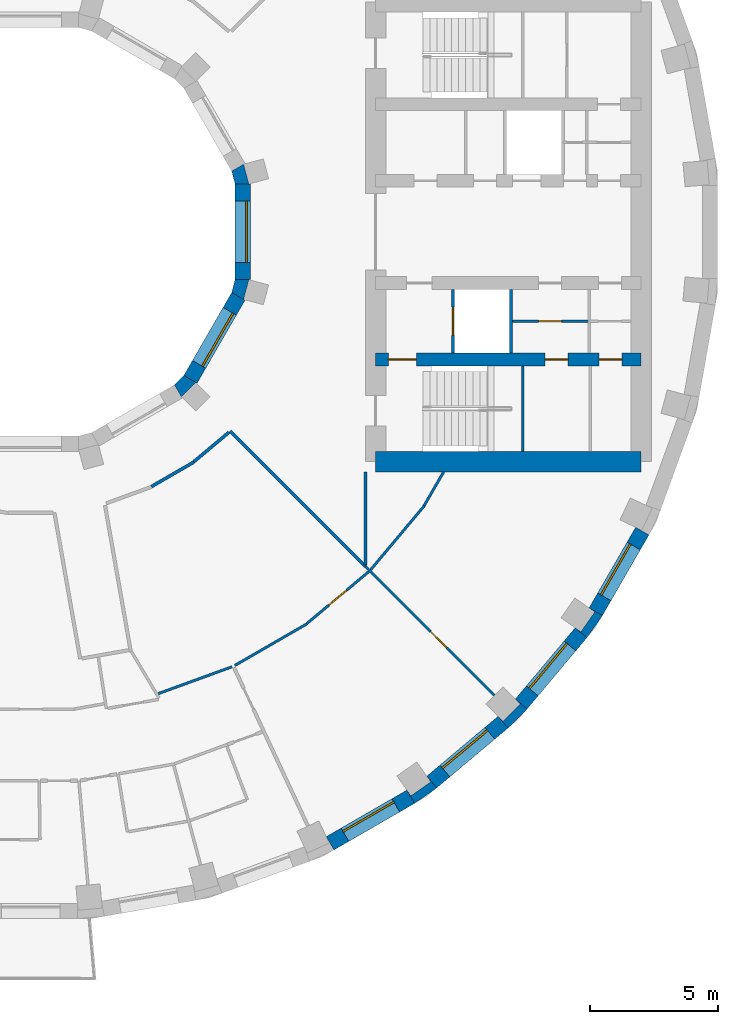
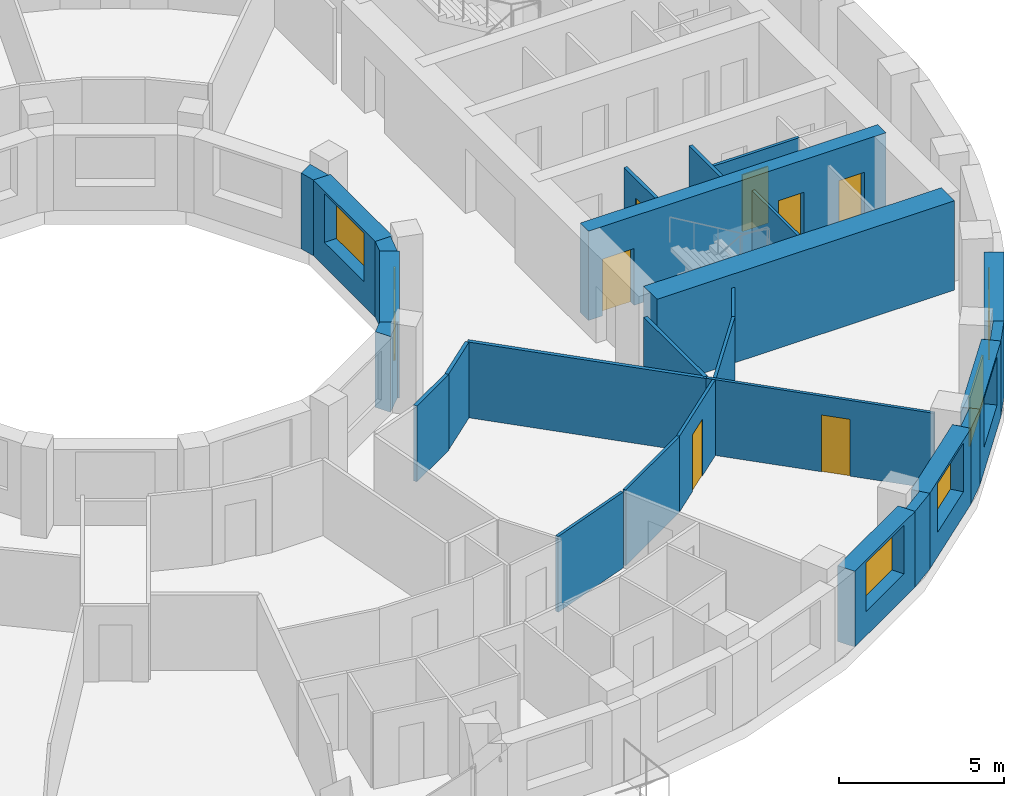
# One storey, part 7 of 14: 28 walls, 7 doors, 6 windows, 13 openings.
"""IFC4 building model written with IfcOpenShell, lengths in metres."""

from ifc_helpers import new_model, si_unit, direction, frame, frame_2d, origin, place, context, subcontext, project, spatial, polyline, rectangle, outline, extrude, material, layer, layer_set, type_object, element, fill, save


model = new_model("IFC4")

# Units and contexts
model_context = context("Model", 3, precision=1e-05, world=origin(), true_north=direction((0.0, 1.0)))
body_context = subcontext(model_context, "Body", "Model", "MODEL_VIEW")
ifc_project = project(units=[si_unit("LENGTHUNIT", "METRE"), si_unit("AREAUNIT", "SQUARE_METRE"), si_unit("VOLUMEUNIT", "CUBIC_METRE"), si_unit("PLANEANGLEUNIT", "RADIAN"), si_unit("MASSUNIT", "GRAM", prefix="KILO")], contexts=[model_context])

# Site, building, storey
site_placement = place(None, origin())
site = spatial("IfcSite", under=ifc_project, at=site_placement, CompositionType="ELEMENT")
building_placement = place(site_placement, origin())
building = spatial("IfcBuilding", under=site, at=building_placement, Name="Saqina Gate Tower", CompositionType="ELEMENT")
storey_placement = place(building_placement, frame((0.0, 0.0, 134.800048828125)))
storey = spatial("IfcBuildingStorey", under=building, at=storey_placement, Name="L38", CompositionType="ELEMENT", Elevation=134.800048828125)

# Walls
ifc_material_1 = material(Name="Brick masonry (buff)", Category="masonry")
wall_type_1 = type_object("IfcWallType", Name="BRICK PIER COPING BUFF", PredefinedType="SOLIDWALL", material=ifc_material_1)
wall_1_placement = place(storey_placement, origin())
element("IfcWall", 1, at=wall_1_placement, inside=storey, type_object=wall_type_1, Name="Pier cap L38 column 31", PredefinedType="SOLIDWALL", context=body_context, shape_type="SweptSolid", body=[
    extrude(outline(polyline([(15.89208984375, -21.77685546875), (15.50634765625, -21.317138671875), (15.66064453125, -21.53759765625), (14.88232421875, -22.08251953125), (14.728271484375, -21.862060546875), (15.0283203125, -22.3818359375), (15.89208984375, -21.77685546875)])), origin(), (0.0, 0.0, 1.0), 2.800048828125),
])
wall_2_placement = place(storey_placement, origin())
element("IfcWall", 2, at=wall_2_placement, inside=storey, type_object=wall_type_1, Name="Pier cap L38 column 32", PredefinedType="SOLIDWALL", context=body_context, shape_type="SweptSolid", body=[
    extrude(outline(polyline([(18.686279296875, -19.43212890625), (19.43212890625, -18.686279296875), (18.972412109375, -18.30078125), (19.16259765625, -18.49072265625), (18.49072265625, -19.16259765625), (18.30078125, -18.972412109375), (18.686279296875, -19.43212890625)])), origin(), (0.0, 0.0, 1.0), 2.800048828125),
])
wall_3_placement = place(storey_placement, origin())
element("IfcWall", 3, at=wall_3_placement, inside=storey, type_object=wall_type_1, Name="Pier cap L38 column 33", PredefinedType="SOLIDWALL", context=body_context, shape_type="SweptSolid", body=[
    extrude(outline(polyline([(22.3818359375, -15.0283203125), (21.862060546875, -14.728271484375), (22.08251953125, -14.88232421875), (21.53759765625, -15.66064453125), (21.317138671875, -15.50634765625), (21.77685546875, -15.89208984375), (22.3818359375, -15.0283203125)])), origin(), (0.0, 0.0, 1.0), 2.800048828125),
])

# Wall, opening, door
ifc_material_2 = material(Name="Gypsum board on steel studs", Category="steel")
ifc_layer_1 = layer(ifc_material_2, 0.10009765625)
ifc_layer_set_1 = layer_set([ifc_layer_1], Name="CORE PARTITION")
wall_type_2 = type_object("IfcWallType", Name="CORE PARTITION", PredefinedType="PARTITIONING", material=ifc_layer_set_1)
wall_4_placement = place(storey_placement, frame((18.81005859375, -3.5, 0.0), z_axis=(0.0, 0.0, 1.0), x_axis=(1.0, 0.0, 0.0)))
wall_4 = element("IfcWall", 4, at=wall_4_placement, inside=storey, type_object=wall_type_2, Name="L38-CP-E10", PredefinedType="PARTITIONING", context=body_context, shape_type="SweptSolid", body=[
    extrude(rectangle(XDim=3.04833984375, YDim=0.10009765625, at=frame_2d((1.524169921875, 0.0))), origin(), (0.0, 0.0, 1.0), 2.800048828125),
])
opening_1_placement = place(wall_4_placement, frame((1.07421875, 0.0, 0.0)))
opening_1 = element("IfcOpeningElement", 5, at=opening_1_placement, cuts=wall_4, Name="Opening G11-D102", PredefinedType="OPENING", context=body_context, shape_type="SweptSolid", body=[
    extrude(rectangle(XDim=0.89990234375, YDim=2.10009765625, at=frame_2d((0.449951171875, 1.050048828125))), frame((0.0, 0.06201171875, 0.0), z_axis=(0.0, -1.0, 0.0), x_axis=(1.0, 0.0, 0.0)), (0.0, 0.0, 1.0), 0.1240234375),
])
ifc_material_3 = material(Name="Steel-framed fire door leaf, EI 60", Category="steel")
door_type_1 = type_object("IfcDoorType", Name="SERVICE ROOM DOOR 900", OperationType="SINGLE_SWING_LEFT", PredefinedType="DOOR", material=ifc_material_3)
door_1_placement = place(opening_1_placement, frame((0.89990234375, 0.0, 0.0), z_axis=(0.0, 0.0, 1.0), x_axis=(-1.0, 0.0, 0.0)))
door_1 = element("IfcDoor", 6, at=door_1_placement, inside=storey, type_object=door_type_1, Name="L38-CD-E13", OperationType="SINGLE_SWING_RIGHT", OverallHeight=2.10009765625, OverallWidth=0.89990234375, PredefinedType="DOOR", context=body_context, shape_type="SweptSolid", body=[
    extrude(rectangle(XDim=0.89990234375, YDim=2.10009765625, at=frame_2d((0.449951171875, 1.050048828125))), frame((0.0, 0.02490234375, 0.0), z_axis=(0.0, -1.0, 0.0), x_axis=(1.0, 0.0, 0.0)), (0.0, 0.0, 1.0), 0.050048828125),
])
fill(opening_1, door_1)

# Wall, opening, window
ifc_material_4 = material(Name="Brick masonry (buff)", Category="masonry")
ifc_layer_2 = layer(ifc_material_4, 0.60009765625)
ifc_layer_set_2 = layer_set([ifc_layer_2], Name="FW-BRICK-BUFF")
wall_type_3 = type_object("IfcWallType", Name="FW-BRICK-BUFF", PredefinedType="SOLIDWALL", material=ifc_layer_set_2)
wall_5_placement = place(storey_placement, frame((11.718994140625, -23.94580078125, 0.0), z_axis=(0.0, 0.0, 1.0), x_axis=(0.866051847062, 0.499954196102, 0.0)))
wall_5 = element("IfcWall", 7, at=wall_5_placement, inside=storey, type_object=wall_type_3, Name="Facade wall L38 facet 30", PredefinedType="SOLIDWALL", context=body_context, shape_type="SweptSolid", body=[
    extrude(rectangle(XDim=3.647705078125, YDim=0.60009765625, at=frame_2d((1.82373046875, 0.0))), origin(), (0.0, 0.0, 1.0), 2.800048828125),
])
opening_2_placement = place(wall_5_placement, frame((0.673828125, 0.0, 0.89990234375)))
opening_2 = element("IfcOpeningElement", 8, at=opening_2_placement, cuts=wall_5, Name="Opening G11-W19", PredefinedType="OPENING", context=body_context, shape_type="SweptSolid", body=[
    extrude(rectangle(XDim=2.300048828125, YDim=1.800048828125, at=frame_2d((1.14990234375, 0.89990234375))), frame((0.0, 0.31201171875, 0.0), z_axis=(0.0, -1.0, 0.0), x_axis=(1.0, 0.0, 0.0)), (0.0, 0.0, 1.0), 0.6240234375),
])
ifc_material_5 = material(Name="Aluminium glazing", Category="aluminium")
window_type_1 = type_object("IfcWindowType", Name="WN-B", PartitioningType="SINGLE_PANEL", PredefinedType="WINDOW", material=ifc_material_5)
window_1_placement = place(opening_2_placement, origin())
window_1 = element("IfcWindow", 9, at=window_1_placement, inside=storey, type_object=window_type_1, Name="Window L38 facet 30", OverallHeight=1.800048828125, OverallWidth=2.300048828125, PartitioningType="SINGLE_PANEL", PredefinedType="WINDOW", context=body_context, shape_type="SweptSolid", body=[
    extrude(rectangle(XDim=2.300048828125, YDim=1.800048828125, at=frame_2d((1.14990234375, 0.89990234375))), frame((0.0, 0.179931640625, 0.0), z_axis=(0.0, -1.0, 0.0), x_axis=(1.0, 0.0, 0.0)), (0.0, 0.0, 1.0), 0.06005859375),
])
fill(opening_2, window_1)

wall_6_placement = place(storey_placement, frame((15.69921875, -21.547119140625, 0.0), z_axis=(0.0, 0.0, 1.0), x_axis=(0.766055462616, 0.642774476932, 0.0)))
wall_6 = element("IfcWall", 10, at=wall_6_placement, inside=storey, type_object=wall_type_3, Name="Facade wall L38 facet 31", PredefinedType="SOLIDWALL", context=body_context, shape_type="SweptSolid", body=[
    extrude(rectangle(XDim=3.647705078125, YDim=0.60009765625, at=frame_2d((1.82373046875, 0.0))), origin(), (0.0, 0.0, 1.0), 2.800048828125),
])
opening_3_placement = place(wall_6_placement, frame((0.673828125, 0.0, 0.89990234375)))
opening_3 = element("IfcOpeningElement", 11, at=opening_3_placement, cuts=wall_6, Name="Opening G11-W20", PredefinedType="OPENING", context=body_context, shape_type="SweptSolid", body=[
    extrude(rectangle(XDim=2.300048828125, YDim=1.800048828125, at=frame_2d((1.14990234375, 0.89990234375))), frame((0.0, 0.31201171875, 0.0), z_axis=(0.0, -1.0, 0.0), x_axis=(1.0, 0.0, 0.0)), (0.0, 0.0, 1.0), 0.6240234375),
])
window_2_placement = place(opening_3_placement, origin())
window_2 = element("IfcWindow", 12, at=window_2_placement, inside=storey, type_object=window_type_1, Name="Window L38 facet 31", OverallHeight=1.800048828125, OverallWidth=2.300048828125, PartitioningType="SINGLE_PANEL", PredefinedType="WINDOW", context=body_context, shape_type="SweptSolid", body=[
    extrude(rectangle(XDim=2.300048828125, YDim=1.800048828125, at=frame_2d((1.14990234375, 0.89990234375))), frame((0.0, 0.179931640625, 0.0), z_axis=(0.0, -1.0, 0.0), x_axis=(1.0, 0.0, 0.0)), (0.0, 0.0, 1.0), 0.06005859375),
])
fill(opening_3, window_2)

wall_7_placement = place(storey_placement, frame((19.202392578125, -18.49365234375, 0.0), z_axis=(0.0, 0.0, 1.0), x_axis=(0.642774476932, 0.766055462616, 0.0)))
wall_7 = element("IfcWall", 13, at=wall_7_placement, inside=storey, type_object=wall_type_3, Name="Facade wall L38 facet 32", PredefinedType="SOLIDWALL", context=body_context, shape_type="SweptSolid", body=[
    extrude(rectangle(XDim=3.647705078125, YDim=0.60009765625, at=frame_2d((1.82373046875, 0.0))), origin(), (0.0, 0.0, 1.0), 2.800048828125),
])
opening_4_placement = place(wall_7_placement, frame((0.673828125, 0.0, 0.89990234375)))
opening_4 = element("IfcOpeningElement", 14, at=opening_4_placement, cuts=wall_7, Name="Opening G11-W21", PredefinedType="OPENING", context=body_context, shape_type="SweptSolid", body=[
    extrude(rectangle(XDim=2.300048828125, YDim=1.800048828125, at=frame_2d((1.14990234375, 0.89990234375))), frame((0.0, 0.31201171875, 0.0), z_axis=(0.0, -1.0, 0.0), x_axis=(1.0, 0.0, 0.0)), (0.0, 0.0, 1.0), 0.6240234375),
])
window_3_placement = place(opening_4_placement, origin())
window_3 = element("IfcWindow", 15, at=window_3_placement, inside=storey, type_object=window_type_1, Name="Window L38 facet 32", OverallHeight=1.800048828125, OverallWidth=2.300048828125, PartitioningType="SINGLE_PANEL", PredefinedType="WINDOW", context=body_context, shape_type="SweptSolid", body=[
    extrude(rectangle(XDim=2.300048828125, YDim=1.800048828125, at=frame_2d((1.14990234375, 0.89990234375))), frame((0.0, 0.179931640625, 0.0), z_axis=(0.0, -1.0, 0.0), x_axis=(1.0, 0.0, 0.0)), (0.0, 0.0, 1.0), 0.06005859375),
])
fill(opening_4, window_3)

wall_8_placement = place(storey_placement, frame((22.1220703125, -14.878173828125, 0.0), z_axis=(0.0, 0.0, 1.0), x_axis=(0.499954196102, 0.866051847062, 0.0)))
wall_8 = element("IfcWall", 16, at=wall_8_placement, inside=storey, type_object=wall_type_3, Name="Facade wall L38 facet 33", PredefinedType="SOLIDWALL", context=body_context, shape_type="SweptSolid", body=[
    extrude(rectangle(XDim=3.647705078125, YDim=0.60009765625, at=frame_2d((1.82373046875, 0.0))), origin(), (0.0, 0.0, 1.0), 2.800048828125),
])
opening_5_placement = place(wall_8_placement, frame((0.673828125, 0.0, 0.89990234375)))
opening_5 = element("IfcOpeningElement", 17, at=opening_5_placement, cuts=wall_8, Name="Opening G11-W22", PredefinedType="OPENING", context=body_context, shape_type="SweptSolid", body=[
    extrude(rectangle(XDim=2.300048828125, YDim=1.800048828125, at=frame_2d((1.14990234375, 0.89990234375))), frame((0.0, 0.31201171875, 0.0), z_axis=(0.0, -1.0, 0.0), x_axis=(1.0, 0.0, 0.0)), (0.0, 0.0, 1.0), 0.6240234375),
])
window_4_placement = place(opening_5_placement, origin())
window_4 = element("IfcWindow", 18, at=window_4_placement, inside=storey, type_object=window_type_1, Name="Window L38 facet 33", OverallHeight=1.800048828125, OverallWidth=2.300048828125, PartitioningType="SINGLE_PANEL", PredefinedType="WINDOW", context=body_context, shape_type="SweptSolid", body=[
    extrude(rectangle(XDim=2.300048828125, YDim=1.800048828125, at=frame_2d((1.14990234375, 0.89990234375))), frame((0.0, 0.179931640625, 0.0), z_axis=(0.0, -1.0, 0.0), x_axis=(1.0, 0.0, 0.0)), (0.0, 0.0, 1.0), 0.06005859375),
])
fill(opening_5, window_4)

ifc_material_6 = material(Name="Glazed ceramic tile", Category="ceramic")
ifc_layer_3 = layer(ifc_material_6, 0.60009765625)
ifc_layer_set_3 = layer_set([ifc_layer_3], Name="IW-TILE")
wall_type_4 = type_object("IfcWallType", Name="IW-TILE", PredefinedType="SOLIDWALL", material=ifc_layer_set_3)
wall_9_placement = place(storey_placement, frame((6.251220703125, -5.772705078125, 0.0), z_axis=(0.0, 0.0, 1.0), x_axis=(0.499964958637, 0.86604563398, 0.0)))
wall_9 = element("IfcWall", 19, at=wall_9_placement, inside=storey, type_object=wall_type_4, Name="Well wall L38 facet 11", PredefinedType="SOLIDWALL", context=body_context, shape_type="SweptSolid", body=[
    extrude(rectangle(XDim=3.747314453125, YDim=0.60009765625, at=frame_2d((1.87353515625, 0.0))), origin(), (0.0, 0.0, 1.0), 2.800048828125),
])
opening_6_placement = place(wall_9_placement, frame((0.673583984375, 0.0, 0.89990234375)))
opening_6 = element("IfcOpeningElement", 20, at=opening_6_placement, cuts=wall_9, Name="Opening G11-W33", PredefinedType="OPENING", context=body_context, shape_type="SweptSolid", body=[
    extrude(rectangle(XDim=2.39990234375, YDim=1.800048828125, at=frame_2d((1.199951171875, 0.89990234375))), frame((0.0, 0.31201171875, 0.0), z_axis=(0.0, -1.0, 0.0), x_axis=(1.0, 0.0, 0.0)), (0.0, 0.0, 1.0), 0.6240234375),
])
ifc_material_7 = material(Name="Aluminium glazing", Category="aluminium")
window_type_2 = type_object("IfcWindowType", Name="WN-W", PartitioningType="SINGLE_PANEL", PredefinedType="WINDOW", material=ifc_material_7)
window_5_placement = place(opening_6_placement, origin())
window_5 = element("IfcWindow", 21, at=window_5_placement, inside=storey, type_object=window_type_2, Name="Well window L38 facet 11", OverallHeight=1.800048828125, OverallWidth=2.39990234375, PartitioningType="SINGLE_PANEL", PredefinedType="WINDOW", context=body_context, shape_type="SweptSolid", body=[
    extrude(rectangle(XDim=2.39990234375, YDim=1.800048828125, at=frame_2d((1.199951171875, 0.89990234375))), frame((0.0, -0.119873046875, 0.0), z_axis=(0.0, -1.0, 0.0), x_axis=(1.0, 0.0, 0.0)), (0.0, 0.0, 1.0), 0.06005859375),
])
fill(opening_6, window_5)

wall_10_placement = place(storey_placement, frame((8.300048828125, -1.873779296875, 0.0), z_axis=(0.0, 0.0, 1.0), x_axis=(0.0, 1.0, 0.0)))
wall_10 = element("IfcWall", 22, at=wall_10_placement, inside=storey, type_object=wall_type_4, Name="Well wall L38 facet 12", PredefinedType="SOLIDWALL", context=body_context, shape_type="SweptSolid", body=[
    extrude(rectangle(XDim=3.74755859375, YDim=0.60009765625, at=frame_2d((1.873779296875, 0.0))), origin(), (0.0, 0.0, 1.0), 2.800048828125),
])
opening_7_placement = place(wall_10_placement, frame((0.673583984375, 0.0, 0.89990234375)))
opening_7 = element("IfcOpeningElement", 23, at=opening_7_placement, cuts=wall_10, Name="Opening G11-W34", PredefinedType="OPENING", context=body_context, shape_type="SweptSolid", body=[
    extrude(rectangle(XDim=2.39990234375, YDim=1.800048828125, at=frame_2d((1.199951171875, 0.89990234375))), frame((0.0, 0.31201171875, 0.0), z_axis=(0.0, -1.0, 0.0), x_axis=(1.0, 0.0, 0.0)), (0.0, 0.0, 1.0), 0.6240234375),
])
window_6_placement = place(opening_7_placement, origin())
window_6 = element("IfcWindow", 24, at=window_6_placement, inside=storey, type_object=window_type_2, Name="Well window L38 facet 12", OverallHeight=1.800048828125, OverallWidth=2.39990234375, PartitioningType="SINGLE_PANEL", PredefinedType="WINDOW", context=body_context, shape_type="SweptSolid", body=[
    extrude(rectangle(XDim=2.39990234375, YDim=1.800048828125, at=frame_2d((1.199951171875, 0.89990234375))), frame((0.0, -0.119873046875, 0.0), z_axis=(0.0, -1.0, 0.0), x_axis=(1.0, 0.0, 0.0)), (0.0, 0.0, 1.0), 0.06005859375),
])
fill(opening_7, window_6)

# Wall, opening, door
ifc_material_8 = material(Name="Gypsum board on steel studs, 100 mm", Category="steel")
ifc_layer_4 = layer(ifc_material_8, 0.10009765625)
ifc_layer_set_4 = layer_set([ifc_layer_4], Name="PARTITION 100")
wall_type_5 = type_object("IfcWallType", Name="PARTITION 100", PredefinedType="PARTITIONING", material=ifc_layer_set_4)
wall_11_placement = place(storey_placement, frame((13.10009765625, -13.10009765625, 0.0), z_axis=(0.0, 0.0, 1.0), x_axis=(0.707106781187, -0.707106781187, 0.0)))
wall_11 = element("IfcWall", 25, at=wall_11_placement, inside=storey, type_object=wall_type_5, Name="PARTITION PW3-22", PredefinedType="PARTITIONING", context=body_context, shape_type="SweptSolid", body=[
    extrude(rectangle(XDim=7.138671875, YDim=0.10009765625, at=frame_2d((3.5693359375, 0.0))), origin(), (0.0, 0.0, 1.0), 2.800048828125),
])
opening_8_placement = place(wall_11_placement, frame((3.60888671875, 0.0, 0.0)))
opening_8 = element("IfcOpeningElement", 26, at=opening_8_placement, cuts=wall_11, Name="Opening G11-D42", PredefinedType="OPENING", context=body_context, shape_type="SweptSolid", body=[
    extrude(rectangle(XDim=0.89990234375, YDim=2.10009765625, at=frame_2d((0.449951171875, 1.050048828125))), frame((0.0, 0.06201171875, 0.0), z_axis=(0.0, -1.0, 0.0), x_axis=(1.0, 0.0, 0.0)), (0.0, 0.0, 1.0), 0.1240234375),
])
ifc_material_9 = material(Name="Timber door leaf, 900 mm", Category="wood")
door_type_2 = type_object("IfcDoorType", Name="DOOR 900 TIMBER", OperationType="SINGLE_SWING_LEFT", PredefinedType="DOOR", material=ifc_material_9)
door_2_placement = place(opening_8_placement, origin())
door_2 = element("IfcDoor", 27, at=door_2_placement, inside=storey, type_object=door_type_2, Name="DOOR G11-D42", OperationType="SINGLE_SWING_RIGHT", OverallHeight=2.10009765625, OverallWidth=0.89990234375, PredefinedType="DOOR", context=body_context, shape_type="SweptSolid", body=[
    extrude(rectangle(XDim=0.89990234375, YDim=2.10009765625, at=frame_2d((0.449951171875, 1.050048828125))), frame((0.0, 0.02490234375, 0.0), z_axis=(0.0, -1.0, 0.0), x_axis=(1.0, 0.0, 0.0)), (0.0, 0.0, 1.0), 0.050048828125),
])
fill(opening_8, door_2)

# Walls
wall_12_placement = place(storey_placement, frame((4.9921875, -18.082275390625, 0.0), z_axis=(0.0, 0.0, 1.0), x_axis=(0.939709725343, 0.341973145284, 0.0)))
element("IfcWall", 28, at=wall_12_placement, inside=storey, type_object=wall_type_5, Name="PARTITION PW3-53", PredefinedType="PARTITIONING", context=body_context, shape_type="SweptSolid", body=[
    extrude(rectangle(XDim=3.06689453125, YDim=0.10009765625, at=frame_2d((1.533447265625, 0.0))), origin(), (0.0, 0.0, 1.0), 2.800048828125),
])
wall_13_placement = place(storey_placement, frame((7.987060546875, -16.980712890625, 0.0), z_axis=(0.0, 0.0, 1.0), x_axis=(0.865989766624, 0.500061720293, 0.0)))
element("IfcWall", 29, at=wall_13_placement, inside=storey, type_object=wall_type_5, Name="PARTITION PW3-58", PredefinedType="PARTITIONING", context=body_context, shape_type="SweptSolid", body=[
    extrude(rectangle(XDim=3.259765625, YDim=0.10009765625, at=frame_2d((1.6298828125, 0.0))), origin(), (0.0, 0.0, 1.0), 2.800048828125),
])

# Wall, opening, door
wall_14_placement = place(storey_placement, frame((10.80419921875, -15.34375, 0.0), z_axis=(0.0, 0.0, 1.0), x_axis=(0.766167094934, 0.642641410618, 0.0)))
wall_14 = element("IfcWall", 30, at=wall_14_placement, inside=storey, type_object=wall_type_5, Name="PARTITION PW3-63", PredefinedType="PARTITIONING", context=body_context, shape_type="SweptSolid", body=[
    extrude(rectangle(XDim=3.172119140625, YDim=0.10009765625, at=frame_2d((1.5859375, 0.0))), origin(), (0.0, 0.0, 1.0), 2.800048828125),
])
opening_9_placement = place(wall_14_placement, frame((1.135986328125, 0.0, 0.0)))
opening_9 = element("IfcOpeningElement", 31, at=opening_9_placement, cuts=wall_14, Name="Opening G11-D41", PredefinedType="OPENING", context=body_context, shape_type="SweptSolid", body=[
    extrude(rectangle(XDim=0.89990234375, YDim=2.10009765625, at=frame_2d((0.449951171875, 1.050048828125))), frame((0.0, 0.06201171875, 0.0), z_axis=(0.0, -1.0, 0.0), x_axis=(1.0, 0.0, 0.0)), (0.0, 0.0, 1.0), 0.1240234375),
])
door_3_placement = place(opening_9_placement, origin())
door_3 = element("IfcDoor", 32, at=door_3_placement, inside=storey, type_object=door_type_2, Name="DOOR G11-D41", OperationType="SINGLE_SWING_LEFT", OverallHeight=2.10009765625, OverallWidth=0.89990234375, PredefinedType="DOOR", context=body_context, shape_type="SweptSolid", body=[
    extrude(rectangle(XDim=0.89990234375, YDim=2.10009765625, at=frame_2d((0.449951171875, 1.050048828125))), frame((0.0, 0.02490234375, 0.0), z_axis=(0.0, -1.0, 0.0), x_axis=(1.0, 0.0, 0.0)), (0.0, 0.0, 1.0), 0.050048828125),
])
fill(opening_9, door_3)

# Walls
wall_15_placement = place(storey_placement, frame((13.30517578125, -13.234619140625, 0.0), z_axis=(0.0, 0.0, 1.0), x_axis=(0.642682886784, 0.766132303871, 0.0)))
element("IfcWall", 33, at=wall_15_placement, inside=storey, type_object=wall_type_5, Name="PARTITION PW3-68", PredefinedType="PARTITIONING", context=body_context, shape_type="SweptSolid", body=[
    extrude(rectangle(XDim=3.27294921875, YDim=0.10009765625, at=frame_2d((1.636474609375, 0.0))), origin(), (0.0, 0.0, 1.0), 2.800048828125),
])
wall_16_placement = place(storey_placement, frame((15.401123046875, -10.72265625, 0.0), z_axis=(0.0, 0.0, 1.0), x_axis=(0.500035603698, 0.866004847004, 0.0)))
element("IfcWall", 34, at=wall_16_placement, inside=storey, type_object=wall_type_5, Name="PARTITION PW3-74", PredefinedType="PARTITIONING", context=body_context, shape_type="SweptSolid", body=[
    extrude(rectangle(XDim=1.52978515625, YDim=0.10009765625, at=frame_2d((0.764892578125, 0.0))), origin(), (0.0, 0.0, 1.0), 2.800048828125),
])
ifc_material_10 = material(Name="Gypsum board on steel studs, 125 mm, fire rated", Category="steel")
ifc_layer_5 = layer(ifc_material_10, 0.125)
ifc_layer_set_5 = layer_set([ifc_layer_5], Name="PARTITION EI 30 125")
wall_type_6 = type_object("IfcWallType", Name="PARTITION EI 30 125", PredefinedType="PARTITIONING", material=ifc_layer_set_5)
wall_17_placement = place(storey_placement, frame((7.80810546875, -7.80810546875, 0.0), z_axis=(0.0, 0.0, 1.0), x_axis=(0.707106781187, -0.707106781187, 0.0)))
element("IfcWall", 35, at=wall_17_placement, inside=storey, type_object=wall_type_6, Name="PARTITION PW1-07", PredefinedType="PARTITIONING", context=body_context, shape_type="SweptSolid", body=[
    extrude(rectangle(XDim=7.48388671875, YDim=0.125, at=frame_2d((3.741943359375, 0.0))), origin(), (0.0, 0.0, 1.0), 2.800048828125),
])
wall_18_placement = place(storey_placement, frame((4.72119140625, -9.975830078125, 0.0), z_axis=(0.0, 0.0, 1.0), x_axis=(0.865946867621, 0.500136003959, 0.0)))
element("IfcWall", 36, at=wall_18_placement, inside=storey, type_object=wall_type_6, Name="PARTITION PW1-31", PredefinedType="PARTITIONING", context=body_context, shape_type="SweptSolid", body=[
    extrude(rectangle(XDim=1.9248046875, YDim=0.125, at=frame_2d((0.96240234375, 0.0))), origin(), (0.0, 0.0, 1.0), 2.800048828125),
])
wall_19_placement = place(storey_placement, frame((6.380859375, -9.0048828125, 0.0), z_axis=(0.0, 0.0, 1.0), x_axis=(0.766182926266, 0.642622535785, 0.0)))
element("IfcWall", 37, at=wall_19_placement, inside=storey, type_object=wall_type_6, Name="PARTITION PW1-34", PredefinedType="PARTITIONING", context=body_context, shape_type="SweptSolid", body=[
    extrude(rectangle(XDim=1.800048828125, YDim=0.125, at=frame_2d((0.89990234375, 0.0))), origin(), (0.0, 0.0, 1.0), 2.800048828125),
])
wall_20_placement = place(storey_placement, frame((13.10009765625, -13.03759765625, 0.0), z_axis=(0.0, 0.0, 1.0), x_axis=(0.0, 1.0, 0.0)))
element("IfcWall", 38, at=wall_20_placement, inside=storey, type_object=wall_type_6, Name="PARTITION PW1-45", PredefinedType="PARTITIONING", context=body_context, shape_type="SweptSolid", body=[
    extrude(rectangle(XDim=3.6376953125, YDim=0.125, at=frame_2d((1.81884765625, 0.0))), origin(), (0.0, 0.0, 1.0), 2.800048828125),
])

# Wall, opening, door
ifc_material_11 = material(Name="Autoclaved aerated concrete block", Category="concrete")
ifc_layer_6 = layer(ifc_material_11, 0.1201171875)
ifc_layer_set_6 = layer_set([ifc_layer_6], Name="SHAFT PARTITION")
wall_type_7 = type_object("IfcWallType", Name="SHAFT PARTITION", PredefinedType="PARTITIONING", material=ifc_layer_set_6)
wall_21_placement = place(storey_placement, frame((16.530029296875, -4.75, 0.0), z_axis=(0.0, 0.0, 1.0), x_axis=(0.0, 1.0, 0.0)))
wall_21 = element("IfcWall", 39, at=wall_21_placement, inside=storey, type_object=wall_type_7, Name="L38-CP-E05", PredefinedType="PARTITIONING", context=body_context, shape_type="SweptSolid", body=[
    extrude(rectangle(XDim=2.5, YDim=0.1201171875, at=frame_2d((1.25, 0.0))), origin(), (0.0, 0.0, 1.0), 2.800048828125),
])
opening_10_placement = place(wall_21_placement, frame((0.699951171875, 0.0, 0.0)))
opening_10 = element("IfcOpeningElement", 40, at=opening_10_placement, cuts=wall_21, Name="Opening G11-LD2", PredefinedType="OPENING", context=body_context, shape_type="SweptSolid", body=[
    extrude(rectangle(XDim=1.10009765625, YDim=2.10009765625, at=frame_2d((0.550048828125, 1.050048828125))), frame((0.0, 0.072021484375, 0.0), z_axis=(0.0, -1.0, 0.0), x_axis=(1.0, 0.0, 0.0)), (0.0, 0.0, 1.0), 0.14404296875),
])
ifc_material_12 = material(Name="Stainless steel", Category="steel")
door_type_3 = type_object("IfcDoorType", Name="LANDING DOOR", OperationType="DOUBLE_DOOR_SLIDING", PredefinedType="DOOR", material=ifc_material_12)
door_4_placement = place(opening_10_placement, origin())
door_4 = element("IfcDoor", 41, at=door_4_placement, inside=storey, type_object=door_type_3, Name="LANDING DOOR FF1", OperationType="DOUBLE_DOOR_SLIDING", OverallHeight=2.10009765625, OverallWidth=1.10009765625, PredefinedType="DOOR", context=body_context, shape_type="SweptSolid", body=[
    extrude(rectangle(XDim=1.10009765625, YDim=2.10009765625, at=frame_2d((0.550048828125, 1.050048828125))), frame((0.0, 0.02490234375, 0.0), z_axis=(0.0, -1.0, 0.0), x_axis=(1.0, 0.0, 0.0)), (0.0, 0.0, 1.0), 0.050048828125),
])
fill(opening_10, door_4)

# Walls
wall_22_placement = place(storey_placement, frame((18.81005859375, -4.75, 0.0), z_axis=(0.0, 0.0, 1.0), x_axis=(0.0, 1.0, 0.0)))
element("IfcWall", 42, at=wall_22_placement, inside=storey, type_object=wall_type_7, Name="L38-CP-E06", PredefinedType="PARTITIONING", context=body_context, shape_type="SweptSolid", body=[
    extrude(rectangle(XDim=2.5, YDim=0.1201171875, at=frame_2d((1.25, 0.0))), origin(), (0.0, 0.0, 1.0), 2.800048828125),
])
ifc_material_13 = material(Name="Autoclaved aerated concrete block", Category="concrete")
ifc_layer_7 = layer(ifc_material_13, 0.10009765625)
ifc_layer_set_7 = layer_set([ifc_layer_7], Name="STAIR ENCLOSURE WALL")
wall_type_8 = type_object("IfcWallType", Name="STAIR ENCLOSURE WALL", PredefinedType="PARTITIONING", material=ifc_layer_set_7)
wall_23_placement = place(storey_placement, frame((19.27001953125, -8.60009765625, 0.0), z_axis=(0.0, 0.0, 1.0), x_axis=(0.0, 1.0, 0.0)))
element("IfcWall", 43, at=wall_23_placement, inside=storey, type_object=wall_type_8, Name="L38-CP-E14", PredefinedType="PARTITIONING", context=body_context, shape_type="SweptSolid", body=[
    extrude(rectangle(XDim=3.35009765625, YDim=0.10009765625, at=frame_2d((1.675048828125, 0.0))), origin(), (0.0, 0.0, 1.0), 2.800048828125),
])

# Wall, openings, doors
ifc_material_14 = material(Name="Concrete C70/85", Category="concrete")
ifc_layer_8 = layer(ifc_material_14, 0.5)
ifc_layer_set_8 = layer_set([ifc_layer_8], Name="Concrete C70/85")
wall_type_9 = type_object("IfcWallType", Name="STR-CORE WALL-B-I", PredefinedType="SHEAR", material=ifc_layer_set_8)
wall_24_placement = place(storey_placement, frame((13.5, -5.0, 0.0), z_axis=(0.0, 0.0, 1.0), x_axis=(1.0, 0.0, 0.0)))
wall_24 = element("IfcWall", 44, at=wall_24_placement, inside=storey, type_object=wall_type_9, Name="CORE WALL L38 E-X2", PredefinedType="SHEAR", context=body_context, shape_type="SweptSolid", body=[
    extrude(rectangle(XDim=10.39990234375, YDim=0.5, at=frame_2d((5.199951171875, 0.0))), origin(), (0.0, 0.0, 1.0), 3.300048828125),
])
opening_11_placement = place(wall_24_placement, frame((6.63916015625, 0.0, 0.0)))
opening_11 = element("IfcOpeningElement", 45, at=opening_11_placement, cuts=wall_24, Name="Opening G11-D103", PredefinedType="OPENING", context=body_context, shape_type="SweptSolid", body=[
    extrude(rectangle(XDim=0.89990234375, YDim=2.10009765625, at=frame_2d((0.449951171875, 1.050048828125))), frame((0.0, 0.261962890625, 0.0), z_axis=(0.0, -1.0, 0.0), x_axis=(1.0, 0.0, 0.0)), (0.0, 0.0, 1.0), 0.52392578125),
])
opening_12_placement = place(wall_24_placement, frame((8.755859375, 0.0, 0.0)))
opening_12 = element("IfcOpeningElement", 46, at=opening_12_placement, cuts=wall_24, Name="Opening G11-D104", PredefinedType="OPENING", context=body_context, shape_type="SweptSolid", body=[
    extrude(rectangle(XDim=0.89990234375, YDim=2.10009765625, at=frame_2d((0.449951171875, 1.050048828125))), frame((0.0, 0.261962890625, 0.0), z_axis=(0.0, -1.0, 0.0), x_axis=(1.0, 0.0, 0.0)), (0.0, 0.0, 1.0), 0.52392578125),
])
opening_13_placement = place(wall_24_placement, frame((0.5, 0.0, 0.0)))
opening_13 = element("IfcOpeningElement", 47, at=opening_13_placement, cuts=wall_24, Name="Opening G11-D105", PredefinedType="OPENING", context=body_context, shape_type="SweptSolid", body=[
    extrude(rectangle(XDim=1.10009765625, YDim=2.10009765625, at=frame_2d((0.550048828125, 1.050048828125))), frame((0.0, 0.261962890625, 0.0), z_axis=(0.0, -1.0, 0.0), x_axis=(1.0, 0.0, 0.0)), (0.0, 0.0, 1.0), 0.52392578125),
])
ifc_material_15 = material(Name="Steel", Category="steel")
door_type_4 = type_object("IfcDoorType", Name="FIRE LOBBY DOOR EI 60 WIDE", OperationType="SINGLE_SWING_LEFT", PredefinedType="DOOR", material=ifc_material_15)
door_5_placement = place(opening_13_placement, frame((1.10009765625, 0.0, 0.0), z_axis=(0.0, 0.0, 1.0), x_axis=(-1.0, 0.0, 0.0)))
door_5 = element("IfcDoor", 48, at=door_5_placement, inside=storey, type_object=door_type_4, Name="L38-CD-E16", OperationType="SINGLE_SWING_RIGHT", OverallHeight=2.10009765625, OverallWidth=1.10009765625, PredefinedType="DOOR", context=body_context, shape_type="SweptSolid", body=[
    extrude(rectangle(XDim=1.10009765625, YDim=2.10009765625, at=frame_2d((0.550048828125, 1.050048828125))), frame((0.0, 0.02490234375, 0.0), z_axis=(0.0, -1.0, 0.0), x_axis=(1.0, 0.0, 0.0)), (0.0, 0.0, 1.0), 0.050048828125),
])
fill(opening_13, door_5)
door_6_placement = place(opening_11_placement, frame((0.89990234375, 0.0, 0.0), z_axis=(0.0, 0.0, 1.0), x_axis=(-1.0, 0.0, 0.0)))
door_6 = element("IfcDoor", 49, at=door_6_placement, inside=storey, type_object=door_type_1, Name="L38-CD-E14", OperationType="SINGLE_SWING_LEFT", OverallHeight=2.10009765625, OverallWidth=0.89990234375, PredefinedType="DOOR", context=body_context, shape_type="SweptSolid", body=[
    extrude(rectangle(XDim=0.89990234375, YDim=2.10009765625, at=frame_2d((0.449951171875, 1.050048828125))), frame((0.0, 0.02490234375, 0.0), z_axis=(0.0, -1.0, 0.0), x_axis=(1.0, 0.0, 0.0)), (0.0, 0.0, 1.0), 0.050048828125),
])
fill(opening_11, door_6)
door_7_placement = place(opening_12_placement, frame((0.89990234375, 0.0, 0.0), z_axis=(0.0, 0.0, 1.0), x_axis=(-1.0, 0.0, 0.0)))
door_7 = element("IfcDoor", 50, at=door_7_placement, inside=storey, type_object=door_type_1, Name="L38-CD-E15", OperationType="SINGLE_SWING_LEFT", OverallHeight=2.10009765625, OverallWidth=0.89990234375, PredefinedType="DOOR", context=body_context, shape_type="SweptSolid", body=[
    extrude(rectangle(XDim=0.89990234375, YDim=2.10009765625, at=frame_2d((0.449951171875, 1.050048828125))), frame((0.0, 0.02490234375, 0.0), z_axis=(0.0, -1.0, 0.0), x_axis=(1.0, 0.0, 0.0)), (0.0, 0.0, 1.0), 0.050048828125),
])
fill(opening_12, door_7)

# Walls
ifc_material_16 = material(Name="Concrete C70/85", Category="concrete")
ifc_layer_9 = layer(ifc_material_16, 0.800048828125)
ifc_layer_set_9 = layer_set([ifc_layer_9], Name="Concrete C70/85")
wall_type_10 = type_object("IfcWallType", Name="STR-CORE WALL-B-O", PredefinedType="SHEAR", material=ifc_layer_set_9)
wall_25_placement = place(storey_placement, frame((13.5, -9.0, 0.0), z_axis=(0.0, 0.0, 1.0), x_axis=(1.0, 0.0, 0.0)))
element("IfcWall", 51, at=wall_25_placement, inside=storey, type_object=wall_type_10, Name="CORE WALL L38 E-SE", PredefinedType="SHEAR", context=body_context, shape_type="SweptSolid", body=[
    extrude(rectangle(XDim=10.39990234375, YDim=0.800048828125, at=frame_2d((5.199951171875, 0.0))), origin(), (0.0, 0.0, 1.0), 3.300048828125),
])
ifc_material_17 = material(Name="Glazed ceramic tile", Category="ceramic")
wall_type_11 = type_object("IfcWallType", Name="TILE PIER COPING", PredefinedType="SOLIDWALL", material=ifc_material_17)
wall_26_placement = place(storey_placement, origin())
element("IfcWall", 52, at=wall_26_placement, inside=storey, type_object=wall_type_11, Name="Well pier cap L38 column 1", PredefinedType="SOLIDWALL", context=body_context, shape_type="SweptSolid", body=[
    extrude(outline(polyline([(8.3310546875, 2.646484375), (7.864990234375, 2.377197265625), (8.0, 1.873779296875), (8.5380859375, 1.873779296875), (8.3310546875, 2.646484375)])), origin(), (0.0, 0.0, 1.0), 2.800048828125),
])
wall_27_placement = place(storey_placement, origin())
element("IfcWall", 53, at=wall_27_placement, inside=storey, type_object=wall_type_11, Name="Well pier cap L38 column 11", PredefinedType="SOLIDWALL", context=body_context, shape_type="SweptSolid", body=[
    extrude(outline(polyline([(5.891845703125, -6.45751953125), (6.45751953125, -5.891845703125), (5.991455078125, -5.622802734375), (5.622802734375, -5.991455078125), (5.891845703125, -6.45751953125)])), origin(), (0.0, 0.0, 1.0), 2.800048828125),
])
wall_28_placement = place(storey_placement, origin())
element("IfcWall", 54, at=wall_28_placement, inside=storey, type_object=wall_type_11, Name="Well pier cap L38 column 12", PredefinedType="SOLIDWALL", context=body_context, shape_type="SweptSolid", body=[
    extrude(outline(polyline([(8.5380859375, -1.873779296875), (8.0, -1.873779296875), (7.864990234375, -2.377197265625), (8.3310546875, -2.646484375), (8.5380859375, -1.873779296875)])), origin(), (0.0, 0.0, 1.0), 2.800048828125),
])

save(model, "model.ifc")
